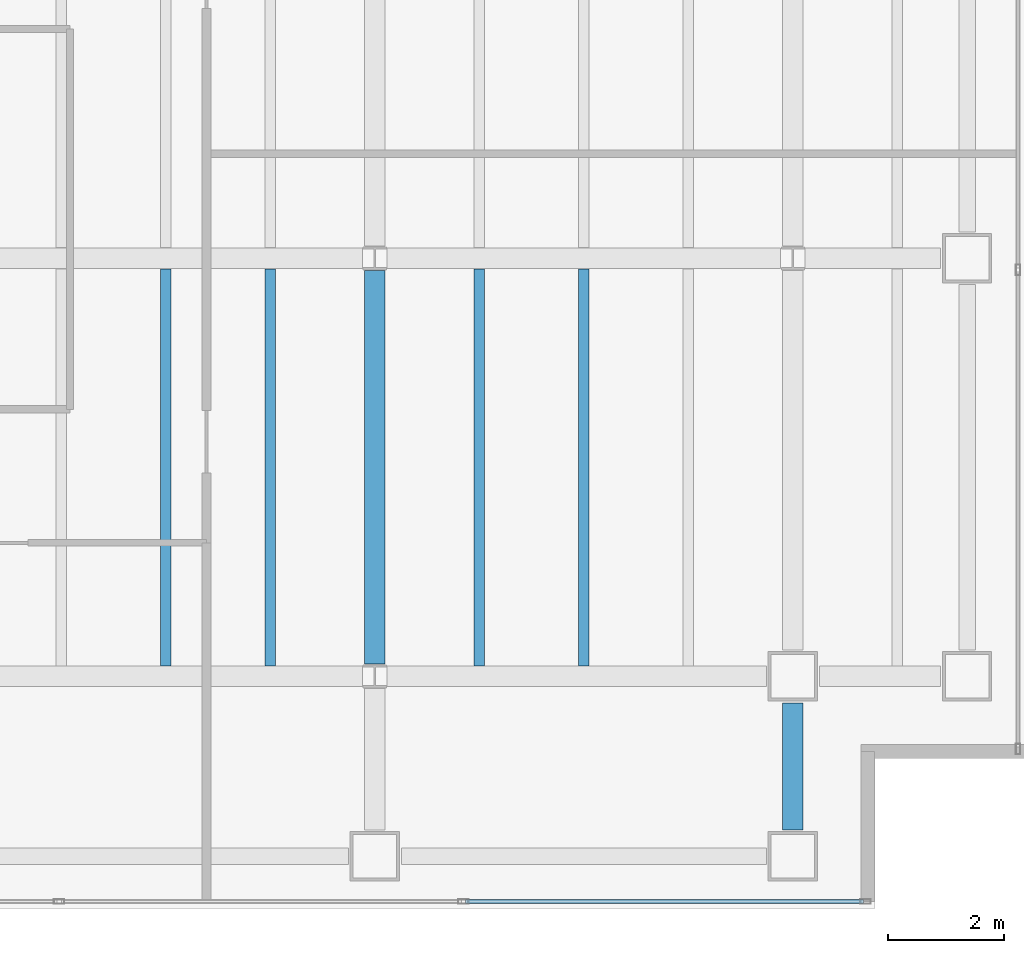
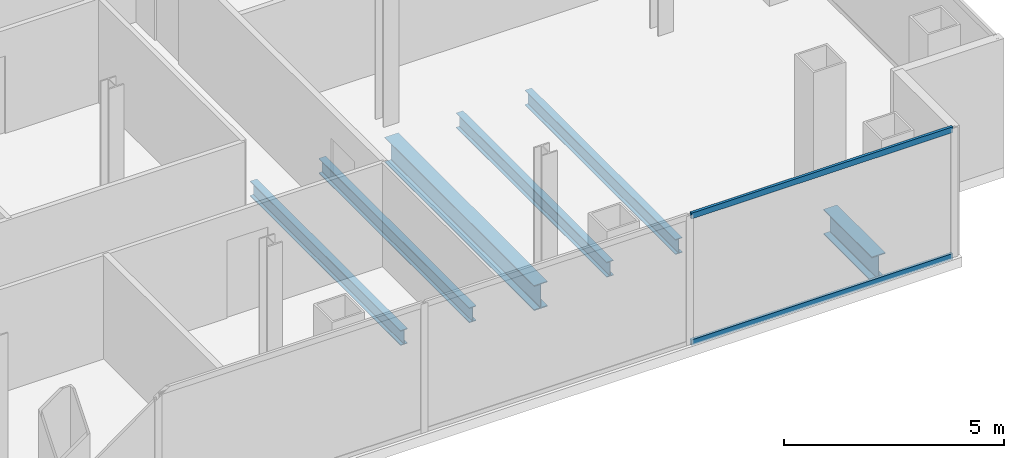
# One storey, part 10 of 23: 6 beams, 2 members, 1 element without a shape of its own.
"""IFC4 building model written with IfcOpenShell, lengths in metres."""

import ifcopenshell
import ifcopenshell.guid

model = None  # the IFC model being written
_history = None  # IfcOwnerHistory: only IFC2X3 demands one
_inside = {}  # id of a spatial element -> (the spatial element, [elements in it])
_under = {}  # id of a project, library or spatial element -> (it, [spatial elements below it])
_declared = {}  # id of a project -> (the project, [libraries it declares])
_typed = {}  # id of a type object -> (the type object, [elements of that type])
_made_of = {}  # id of a material, layer set ... -> (it, [elements and type objects made of it])


def new_model(schema):
    """Start an empty IFC model of exactly this schema.

    Asked for "IFC4X3", IfcOpenShell would pick the latest addendum, in which some entities
    have other attributes; the version numbers below select the first issue.
    IFC2X3 requires an IfcOwnerHistory on every rooted entity: one is made here for all.
    """
    global model, _history
    if schema == "IFC4X3":
        model = ifcopenshell.file(schema_version=(4, 3, 0, 0))
    else:
        model = ifcopenshell.file(schema=schema)
    _inside.clear()
    _under.clear()
    _declared.clear()
    _typed.clear()
    _made_of.clear()
    _history = None
    if model.schema == "IFC2X3":
        org = make("IfcOrganization", Name="unknown")
        user = make(
            "IfcPersonAndOrganization",
            ThePerson=make("IfcPerson", FamilyName="unknown"),
            TheOrganization=org,
        )
        app = make(
            "IfcApplication",
            ApplicationDeveloper=org,
            Version="unknown",
            ApplicationFullName="unknown",
            ApplicationIdentifier="unknown",
        )
        _history = make(
            "IfcOwnerHistory",
            OwningUser=user,
            OwningApplication=app,
            ChangeAction="ADDED",
            CreationDate=0,
        )
    return model


def make(cls, **values):
    """One entity of the class cls with the attributes given. An attribute that is None is left unset."""
    return model.create_entity(
        cls, **{name: value for name, value in values.items() if value is not None}
    )


def rooted(cls, **values):
    """An entity with a GlobalId (a new one), such as an element, a storey or a relation."""
    return make(cls, GlobalId=ifcopenshell.guid.new(), OwnerHistory=_history, **values)


def si_unit(unit_type, name, prefix=None):
    """IfcSIUnit, for example si_unit("LENGTHUNIT", "METRE", prefix="MILLI")."""
    return make("IfcSIUnit", UnitType=unit_type, Prefix=prefix, Name=name)


def assignment(units):
    """IfcUnitAssignment: the units of a project."""
    return None if units is None else make("IfcUnitAssignment", Units=units)


def point(xyz):
    """IfcCartesianPoint."""
    return None if xyz is None else make("IfcCartesianPoint", Coordinates=xyz)


def direction(xyz):
    """IfcDirection."""
    return None if xyz is None else make("IfcDirection", DirectionRatios=xyz)


def frame(location, z_axis=None, x_axis=None):
    """IfcAxis2Placement3D, a coordinate frame: its origin and axes. An axis left out is left unset."""
    return make(
        "IfcAxis2Placement3D",
        Location=point(location),
        Axis=direction(z_axis),
        RefDirection=direction(x_axis),
    )


def frame_2d(location, x_axis=None):
    """IfcAxis2Placement2D, a coordinate frame in the plane: its origin and x axis."""
    return make(
        "IfcAxis2Placement2D", Location=point(location), RefDirection=direction(x_axis)
    )


def origin():
    """The frame at (0, 0, 0) with its axes left unset."""
    return frame((0.0, 0.0, 0.0))


def origin_2d():
    """The frame at (0, 0) in the plane with its x axis left unset."""
    return frame_2d((0.0, 0.0))


def place(relative_to, where):
    """IfcLocalPlacement: puts the frame where relative to a parent placement (None: the world)."""
    return make(
        "IfcLocalPlacement", PlacementRelTo=relative_to, RelativePlacement=where
    )


def context(
    kind, dimensions, precision=None, world=None, true_north=None, identifier=None
):
    """IfcGeometricRepresentationContext, for example the 3D "Model" context."""
    return make(
        "IfcGeometricRepresentationContext",
        ContextIdentifier=identifier,
        ContextType=kind,
        CoordinateSpaceDimension=dimensions,
        Precision=precision,
        WorldCoordinateSystem=world,
        TrueNorth=true_north,
    )


def subcontext(parent, identifier, kind, view, scale=None):
    """IfcGeometricRepresentationSubContext, for example "Body" below "Model"."""
    return make(
        "IfcGeometricRepresentationSubContext",
        ContextIdentifier=identifier,
        ContextType=kind,
        ParentContext=parent,
        TargetScale=scale,
        TargetView=view,
    )


def project(units=None, contexts=None):
    """IfcProject with its units and contexts."""
    return rooted(
        "IfcProject",
        Name="project",
        RepresentationContexts=contexts,
        UnitsInContext=assignment(units),
    )


def spatial(cls, under=None, at=None, **own):
    """A site, building, storey or space (cls), placed at a placement, below another one or the project."""
    s = rooted(cls, ObjectPlacement=at, **own)
    if under is not None:
        _under.setdefault(under.id(), (under, []))[1].append(s)
    return s


def profile(cls, at=None, kind="AREA", **sizes):
    """A parametric profile (cls). Its sizes go by their IFC names, for example OverallWidth=200.0."""
    return make(cls, ProfileType=kind, Position=at, **sizes)


def hollow_rectangle(**sizes):
    """IfcRectangleHollowProfileDef."""
    return profile("IfcRectangleHollowProfileDef", **sizes)


def i_section(**sizes):
    """IfcIShapeProfileDef."""
    return profile("IfcIShapeProfileDef", **sizes)


def extrude(swept, where, along, depth):
    """IfcExtrudedAreaSolid: the profile swept, set in the frame where, extruded along a direction by depth."""
    return make(
        "IfcExtrudedAreaSolid",
        SweptArea=swept,
        Position=where,
        ExtrudedDirection=direction(along),
        Depth=depth,
    )


def shape(context_of_items, identifier, shape_type, items):
    """IfcShapeRepresentation: the items that make up one representation, for example the "Body"."""
    return make(
        "IfcShapeRepresentation",
        ContextOfItems=context_of_items,
        RepresentationIdentifier=identifier,
        RepresentationType=shape_type,
        Items=items,
    )


def material(Name=None, Category=None):
    """IfcMaterial."""
    return make("IfcMaterial", Name=Name, Category=Category)


def material_profile(
    of_material, cross_section, Name=None, Category=None, Priority=None
):
    """IfcMaterialProfile: a cross section and its material."""
    return make(
        "IfcMaterialProfile",
        Name=Name,
        Material=of_material,
        Profile=cross_section,
        Priority=Priority,
        Category=Category,
    )


def profile_set(profiles, Name=None, composite=None):
    """IfcMaterialProfileSet."""
    return make(
        "IfcMaterialProfileSet",
        Name=Name,
        MaterialProfiles=profiles,
        CompositeProfile=composite,
    )


def made_of(thing, what):
    """Note that an element or type object is made of a material, layer set ...; save() writes the relation."""
    if what is not None:
        _made_of.setdefault(what.id(), (what, []))[1].append(thing)
    return thing


def type_object(cls, material=None, **own):
    """A type object (cls), such as IfcWallType, which elements share."""
    return made_of(rooted(cls, **own), material)


def element(
    cls,
    number,
    at=None,
    inside=None,
    cuts=None,
    type_object=None,
    material=None,
    context=None,
    identifier="Body",
    shape_type=None,
    held_by="IfcProductDefinitionShape",
    body=None,
    shapes=None,
    **own,
):
    """One element of the class cls, such as IfcWall. Its Tag is "e" and its number.

    at: its placement. inside: the storey or other place that contains it. cuts: it is an
    opening in that element (IfcRelVoidsElement). A single representation is given by context,
    identifier, shape_type and body (its items); several are given by shapes. held_by: the class
    of the entity that holds the representations. save() writes the other relations.
    """
    e = rooted(cls, Tag="e%d" % number, ObjectPlacement=at, **own)
    if body is not None:
        shapes = [shape(context, identifier, shape_type, body)]
    if shapes is not None:
        e.Representation = make(held_by, Representations=shapes)
    if inside is not None:
        _inside.setdefault(inside.id(), (inside, []))[1].append(e)
    if cuts is not None:
        rooted(
            "IfcRelVoidsElement", RelatingBuildingElement=cuts, RelatedOpeningElement=e
        )
    if type_object is not None:
        _typed.setdefault(type_object.id(), (type_object, []))[1].append(e)
    return made_of(e, material)


def aggregate(whole, parts):
    """IfcRelAggregates: a whole, such as a stair, and the parts it consists of."""
    return rooted("IfcRelAggregates", RelatingObject=whole, RelatedObjects=parts)


def save(model, path):
    """Write the relations noted so far, then the file.

    IfcRelAggregates (storeys below a building ...), IfcRelContainedInSpatialStructure (elements
    in a storey), IfcRelDefinesByType, IfcRelAssociatesMaterial and IfcRelDeclares: one each for
    every whole, place, type object, material and project.
    """
    for whole, parts in _under.values():
        aggregate(whole, parts)
    for where, things in _inside.values():
        rooted(
            "IfcRelContainedInSpatialStructure",
            RelatedElements=things,
            RelatingStructure=where,
        )
    for kind, things in _typed.values():
        rooted("IfcRelDefinesByType", RelatedObjects=things, RelatingType=kind)
    for what, things in _made_of.values():
        rooted("IfcRelAssociatesMaterial", RelatedObjects=things, RelatingMaterial=what)
    for by, libraries in _declared.values():
        rooted("IfcRelDeclares", RelatingContext=by, RelatedDefinitions=libraries)
    model.write(path)


model = new_model("IFC4")

# Units and contexts
model_context = context("Model", 3, precision=1e-05, world=origin(), true_north=direction((0.0, 1.0)))
body_context = subcontext(model_context, "Body", "Model", "MODEL_VIEW")
ifc_project = project(units=[si_unit("LENGTHUNIT", "METRE"), si_unit("AREAUNIT", "SQUARE_METRE"), si_unit("VOLUMEUNIT", "CUBIC_METRE"), si_unit("PLANEANGLEUNIT", "RADIAN"), si_unit("MASSUNIT", "GRAM", prefix="KILO")], contexts=[model_context])

# Site, building, storey
site_placement = place(None, origin())
site = spatial("IfcSite", under=ifc_project, at=site_placement, CompositionType="ELEMENT")
building_placement = place(site_placement, origin())
building = spatial("IfcBuilding", under=site, at=building_placement, Name="Cobrela Telecom Tower", CompositionType="ELEMENT")
storey_placement = place(building_placement, frame((0.0, 0.0, 148.39990234375)))
storey = spatial("IfcBuildingStorey", under=building, at=storey_placement, Name="L37", CompositionType="ELEMENT", Elevation=148.39990234375)

# Beams
ifc_material_1 = material(Name="Steel ASTM A992 Grade 50", Category="steel")
ifc_material_profile_1 = material_profile(ifc_material_1, i_section(OverallWidth=0.35595703125, OverallDepth=0.696044921875, WebThickness=0.015380859375, FlangeThickness=0.024658203125, FilletRadius=0.01806640625, at=origin_2d()), Name="W27X146")
ifc_profile_set_1 = profile_set([ifc_material_profile_1], Name="Steel ASTM A992 Grade 50")
beam_type_1 = type_object("IfcBeamType", Name="BM-GIRD-05", PredefinedType="USERDEFINED", material=ifc_profile_set_1)
beam_1_placement = place(storey_placement, frame((36.0, 7.409423828125, -0.617919921875), z_axis=(0.0, 1.0, 0.0), x_axis=(-1.0, 0.0, 0.0)))
element("IfcBeam", 1, at=beam_1_placement, inside=storey, type_object=beam_type_1, Name="L37 Primary Girder Y50", ObjectType="GIRDER", PredefinedType="USERDEFINED", context=body_context, shape_type="SweptSolid", body=[
    extrude(i_section(OverallWidth=0.35595703125, OverallDepth=0.696044921875, WebThickness=0.015380859375, FlangeThickness=0.024658203125, FilletRadius=0.01806640625, at=origin_2d()), origin(), (0.0, 0.0, 1.0), 6.781005859375),
])
beam_2_placement = place(storey_placement, frame((43.199951171875, 4.554931640625, -0.617919921875), z_axis=(0.0, 1.0, 0.0), x_axis=(-1.0, 0.0, 0.0)))
element("IfcBeam", 2, at=beam_2_placement, inside=storey, type_object=beam_type_1, Name="L37 Primary Girder Y52", ObjectType="GIRDER", PredefinedType="USERDEFINED", context=body_context, shape_type="SweptSolid", body=[
    extrude(i_section(OverallWidth=0.35595703125, OverallDepth=0.696044921875, WebThickness=0.015380859375, FlangeThickness=0.024658203125, FilletRadius=0.01806640625, at=origin_2d()), origin(), (0.0, 0.0, 1.0), 2.190185546875),
])
ifc_material_profile_2 = material_profile(ifc_material_1, i_section(OverallWidth=0.179931640625, OverallDepth=0.4169921875, WebThickness=0.010986328125, FlangeThickness=0.01806640625, FilletRadius=0.011962890625, at=origin_2d()), Name="W16X57")
ifc_profile_set_2 = profile_set([ifc_material_profile_2], Name="Steel ASTM A992 Grade 50")
beam_type_2 = type_object("IfcBeamType", Name="BM-JOIST-04", PredefinedType="JOIST", material=ifc_profile_set_2)
for number, where, z_axis, x_axis, name in (
    (3, (32.39990234375, 7.383056640625, -0.478515625), (0.0, 1.0, 0.0), (-1.0, 0.0, 0.0), "L37 Secondary Composite Floor Beam J29"),
    (4, (34.199951171875, 7.383056640625, -0.478515625), (0.0, 1.0, 0.0), (-1.0, 0.0, 0.0), "L37 Secondary Composite Floor Beam J31"),
    (5, (37.800048828125, 7.383056640625, -0.478515625), (0.0, 1.0, 0.0), (-1.0, 0.0, 0.0), "L37 Secondary Composite Floor Beam J33"),
    (6, (39.60009765625, 7.383056640625, -0.478515625), (0.0, 1.0, 0.0), (-1.0, 0.0, 0.0), "L37 Secondary Composite Floor Beam J35"),
):
    element("IfcBeam", number, at=place(storey_placement, frame(where, z_axis=z_axis, x_axis=x_axis)), inside=storey, type_object=beam_type_2, Name=name, PredefinedType="JOIST", context=body_context, shape_type="SweptSolid", body=[
        extrude(i_section(OverallWidth=0.179931640625, OverallDepth=0.4169921875, WebThickness=0.010986328125, FlangeThickness=0.01806640625, FilletRadius=0.011962890625, at=origin_2d()), origin(), (0.0, 0.0, 1.0), 6.833984375),
    ])

# Curtain wall, members
ifc_material_2 = material(Name="Anodized Bronze Aluminium 6063-T6", Category="aluminium")
curtain_wall_type = type_object("IfcCurtainWallType", Name="CW-SYS-TEL", PredefinedType="USERDEFINED", material=ifc_material_2)
curtain_wall_placement = place(storey_placement, origin())
curtain_wall = element("IfcCurtainWall", 7, at=curtain_wall_placement, inside=storey, type_object=curtain_wall_type, Name="L37 Unitised Bronze Curtain Wall 17", ObjectType="UNITISED CURTAIN WALL", PredefinedType="USERDEFINED")
ifc_material_profile_3 = material_profile(ifc_material_2, hollow_rectangle(XDim=0.070068359375, YDim=0.159912109375, WallThickness=0.00390625, at=origin_2d()), Name="ALU 70x160x4")
ifc_profile_set_3 = profile_set([ifc_material_profile_3], Name="Anodized Bronze Aluminium 6063-T6")
member_type = type_object("IfcMemberType", Name="CW-SYS-TEL-TRN", PredefinedType="USERDEFINED", material=ifc_profile_set_3)
member_1_placement = place(storey_placement, frame((44.4150390625, 3.320068359375, 0.03515625), z_axis=(-1.0, 0.0, 0.0), x_axis=(0.0, -1.0, 0.0)))
member_1 = element("IfcMember", 8, at=member_1_placement, type_object=member_type, Name="CW-TEL transom 1.1", ObjectType="TRANSOM", PredefinedType="USERDEFINED", context=body_context, shape_type="SweptSolid", body=[
    extrude(hollow_rectangle(XDim=0.070068359375, YDim=0.159912109375, WallThickness=0.00390625, at=origin_2d()), origin(), (0.0, 0.0, 1.0), 6.850830078125),
])
member_2_placement = place(storey_placement, frame((44.4150390625, 3.320068359375, 3.545166015625), z_axis=(-1.0, 0.0, 0.0), x_axis=(0.0, -1.0, 0.0)))
member_2 = element("IfcMember", 9, at=member_2_placement, type_object=member_type, Name="CW-TEL transom 1.2", ObjectType="TRANSOM", PredefinedType="USERDEFINED", context=body_context, shape_type="SweptSolid", body=[
    extrude(hollow_rectangle(XDim=0.070068359375, YDim=0.159912109375, WallThickness=0.00390625, at=origin_2d()), origin(), (0.0, 0.0, 1.0), 6.850830078125),
])
aggregate(curtain_wall, [member_1, member_2])

save(model, "model.ifc")
